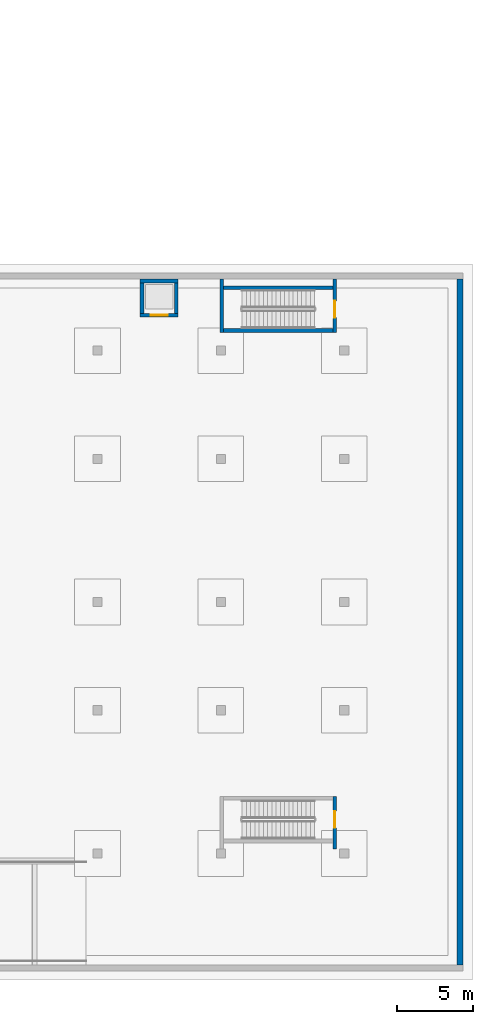
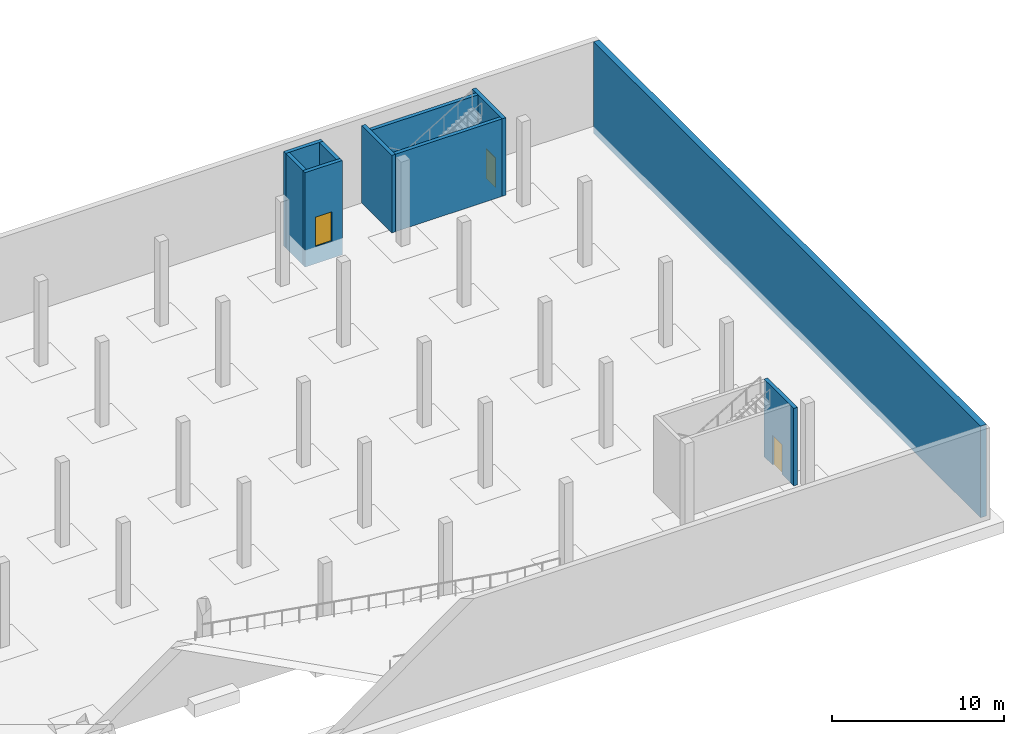
# One storey, part 19 of 39: 10 walls, 3 doors, 3 openings.
"""IFC4 building model written with IfcOpenShell, lengths in metres."""

from ifc_helpers import new_model, si_unit, direction, frame, frame_2d, origin, place, context, subcontext, project, spatial, rectangle, extrude, material, layer, layer_set, type_object, element, fill, save


model = new_model("IFC4")

# Units and contexts
model_context = context("Model", 3, precision=1e-05, world=origin(), true_north=direction((0.0, 1.0)))
body_context = subcontext(model_context, "Body", "Model", "MODEL_VIEW")
ifc_project = project(units=[si_unit("LENGTHUNIT", "METRE"), si_unit("AREAUNIT", "SQUARE_METRE"), si_unit("VOLUMEUNIT", "CUBIC_METRE"), si_unit("PLANEANGLEUNIT", "RADIAN"), si_unit("MASSUNIT", "GRAM", prefix="KILO")], contexts=[model_context])

# Site, building, storey
site_placement = place(None, origin())
site = spatial("IfcSite", under=ifc_project, at=site_placement, CompositionType="ELEMENT")
building_placement = place(site_placement, origin())
building = spatial("IfcBuilding", under=site, at=building_placement, Name="Tamorin Gate", CompositionType="ELEMENT")
storey_placement = place(building_placement, frame((0.0, 0.0, -12.0)))
storey = spatial("IfcBuildingStorey", under=building, at=storey_placement, Name="B2", CompositionType="ELEMENT", Elevation=-12.0)

# Wall
ifc_material_1 = material(Name="Concrete C40/50", Category="concrete")
ifc_layer_1 = layer(ifc_material_1, 0.39990234375)
ifc_layer_set_1 = layer_set([ifc_layer_1], Name="Car park retaining wall 400 C40/50")
wall_type_1 = type_object("IfcWallType", Name="Car park retaining wall 400 C40/50", PredefinedType="SHEAR", material=ifc_layer_set_1)
wall_1_placement = place(storey_placement, frame((235.199951171875, 6.0, -0.5), z_axis=(0.0, 0.0, 1.0), x_axis=(0.0, 1.0, 0.0)))
element("IfcWall", 1, at=wall_1_placement, inside=storey, type_object=wall_type_1, Name="Retaining wall B2", PredefinedType="SHEAR", context=body_context, shape_type="SweptSolid", body=[
    extrude(rectangle(XDim=45.0, YDim=0.39990234375, at=frame_2d((22.5, 0.0))), origin(), (0.0, 0.0, 1.0), 6.5),
])

# Wall, opening, door
ifc_layer_2 = layer(ifc_material_1, 0.25)
ifc_layer_set_2 = layer_set([ifc_layer_2], Name="Stair and lift enclosure wall 250 C40/50")
wall_type_2 = type_object("IfcWallType", Name="Stair and lift enclosure wall 250 C40/50", PredefinedType="SHEAR", material=ifc_layer_set_2)
wall_2_placement = place(storey_placement, frame((226.97509765625, 13.60009765625, 0.0), z_axis=(0.0, 0.0, 1.0), x_axis=(0.0, 1.0, 0.0)))
wall_2 = element("IfcWall", 2, at=wall_2_placement, inside=storey, type_object=wall_type_2, Name="Stair SB8 wall", PredefinedType="SHEAR", context=body_context, shape_type="SweptSolid", body=[
    extrude(rectangle(XDim=3.449951171875, YDim=0.25, at=frame_2d((1.72509765625, 0.0))), origin(), (0.0, 0.0, 1.0), 5.5),
])
opening_1_placement = place(wall_2_placement, frame((1.375, 0.0, 0.0)))
opening_1 = element("IfcOpeningElement", 3, at=opening_1_placement, cuts=wall_2, Name="Opening DP8", PredefinedType="OPENING", context=body_context, shape_type="SweptSolid", body=[
    extrude(rectangle(XDim=1.10009765625, YDim=2.10009765625, at=frame_2d((0.550048828125, 1.050048828125))), frame((0.0, 0.135009765625, 0.0), z_axis=(0.0, -1.0, 0.0), x_axis=(1.0, 0.0, 0.0)), (0.0, 0.0, 1.0), 0.27001953125),
])
ifc_material_2 = material(Name="Steel, painted", Category="steel")
door_type_1 = type_object("IfcDoorType", Name="Stair door 1100x2100 FD90", OperationType="SINGLE_SWING_LEFT", PredefinedType="DOOR", material=ifc_material_2)
door_1_placement = place(opening_1_placement, origin())
door_1 = element("IfcDoor", 4, at=door_1_placement, inside=storey, type_object=door_type_1, Name="Stair door", OperationType="SINGLE_SWING_LEFT", OverallHeight=2.10009765625, OverallWidth=1.10009765625, PredefinedType="DOOR", context=body_context, shape_type="SweptSolid", body=[
    extrude(rectangle(XDim=1.10009765625, YDim=2.10009765625, at=frame_2d((0.550048828125, 1.050048828125))), frame((0.0, 0.02490234375, 0.0), z_axis=(0.0, -1.0, 0.0), x_axis=(1.0, 0.0, 0.0)), (0.0, 0.0, 1.0), 0.050048828125),
])
fill(opening_1, door_1)

# Walls
for number, where, z_axis, x_axis, name in (
    (5, (219.68994140625, 47.625, 0.0), (0.0, 0.0, 1.0), (1.0, 0.0, 0.0), "Stair SB9 wall"),
    (6, (219.68994140625, 50.425048828125, 0.0), (0.0, 0.0, 1.0), (1.0, 0.0, 0.0), "Stair SB9 wall"),
):
    element("IfcWall", number, at=place(storey_placement, frame(where, z_axis=z_axis, x_axis=x_axis)), inside=storey, type_object=wall_type_2, Name=name, PredefinedType="SHEAR", context=body_context, shape_type="SweptSolid", body=[
        extrude(rectangle(XDim=7.16015625, YDim=0.25, at=frame_2d((3.580078125, 0.0))), origin(), (0.0, 0.0, 1.0), 5.5),
    ])

# Wall, opening, door
wall_3_placement = place(storey_placement, frame((226.97509765625, 47.5, 0.0), z_axis=(0.0, 0.0, 1.0), x_axis=(0.0, 1.0, 0.0)))
wall_3 = element("IfcWall", 7, at=wall_3_placement, inside=storey, type_object=wall_type_2, Name="Stair SB9 wall", PredefinedType="SHEAR", context=body_context, shape_type="SweptSolid", body=[
    extrude(rectangle(XDim=3.5, YDim=0.25, at=frame_2d((1.75, 0.0))), origin(), (0.0, 0.0, 1.0), 5.5),
])
opening_2_placement = place(wall_3_placement, frame((0.97509765625, 0.0, 0.0)))
opening_2 = element("IfcOpeningElement", 8, at=opening_2_placement, cuts=wall_3, Name="Opening DP8", PredefinedType="OPENING", context=body_context, shape_type="SweptSolid", body=[
    extrude(rectangle(XDim=1.10009765625, YDim=2.10009765625, at=frame_2d((0.550048828125, 1.050048828125))), frame((0.0, 0.135009765625, 0.0), z_axis=(0.0, -1.0, 0.0), x_axis=(1.0, 0.0, 0.0)), (0.0, 0.0, 1.0), 0.27001953125),
])
door_2_placement = place(opening_2_placement, origin())
door_2 = element("IfcDoor", 9, at=door_2_placement, inside=storey, type_object=door_type_1, Name="Stair door", OperationType="SINGLE_SWING_RIGHT", OverallHeight=2.10009765625, OverallWidth=1.10009765625, PredefinedType="DOOR", context=body_context, shape_type="SweptSolid", body=[
    extrude(rectangle(XDim=1.10009765625, YDim=2.10009765625, at=frame_2d((0.550048828125, 1.050048828125))), frame((0.0, 0.02490234375, 0.0), z_axis=(0.0, -1.0, 0.0), x_axis=(1.0, 0.0, 0.0)), (0.0, 0.0, 1.0), 0.050048828125),
])
fill(opening_2, door_2)

# Wall
wall_4_placement = place(storey_placement, frame((219.56494140625, 47.5, 0.0), z_axis=(0.0, 0.0, 1.0), x_axis=(0.0, 1.0, 0.0)))
element("IfcWall", 10, at=wall_4_placement, inside=storey, type_object=wall_type_2, Name="Stair SB9 wall", PredefinedType="SHEAR", context=body_context, shape_type="SweptSolid", body=[
    extrude(rectangle(XDim=3.5, YDim=0.25, at=frame_2d((1.75, 0.0))), origin(), (0.0, 0.0, 1.0), 5.5),
])

# Wall, opening, door
wall_5_placement = place(storey_placement, frame((214.199951171875, 48.625, -1.199951171875), z_axis=(0.0, 0.0, 1.0), x_axis=(1.0, 0.0, 0.0)))
wall_5 = element("IfcWall", 11, at=wall_5_placement, inside=storey, type_object=wall_type_2, Name="Lift shaft LP2", PredefinedType="SHEAR", context=body_context, shape_type="SweptSolid", body=[
    extrude(rectangle(XDim=2.5, YDim=0.25, at=frame_2d((1.25, 0.0))), origin(), (0.0, 0.0, 1.0), 6.699951171875),
])
opening_3_placement = place(wall_5_placement, frame((0.699951171875, 0.0, 1.199951171875)))
opening_3 = element("IfcOpeningElement", 12, at=opening_3_placement, cuts=wall_5, Name="Opening LD23", PredefinedType="OPENING", context=body_context, shape_type="SweptSolid", body=[
    extrude(rectangle(XDim=1.10009765625, YDim=2.10009765625, at=frame_2d((0.550048828125, 1.050048828125))), frame((0.0, 0.135009765625, 0.0), z_axis=(0.0, -1.0, 0.0), x_axis=(1.0, 0.0, 0.0)), (0.0, 0.0, 1.0), 0.27001953125),
])
ifc_material_3 = material(Name="Stainless steel", Category="steel")
door_type_2 = type_object("IfcDoorType", Name="Lift landing door 1100x2100", OperationType="DOUBLE_DOOR_SLIDING", PredefinedType="DOOR", material=ifc_material_3)
door_3_placement = place(opening_3_placement, origin())
door_3 = element("IfcDoor", 13, at=door_3_placement, inside=storey, type_object=door_type_2, Name="Lift landing door", OperationType="DOUBLE_DOOR_SLIDING", OverallHeight=2.10009765625, OverallWidth=1.10009765625, PredefinedType="DOOR", context=body_context, shape_type="SweptSolid", body=[
    extrude(rectangle(XDim=1.10009765625, YDim=2.10009765625, at=frame_2d((0.550048828125, 1.050048828125))), frame((0.0, 0.02490234375, 0.0), z_axis=(0.0, -1.0, 0.0), x_axis=(1.0, 0.0, 0.0)), (0.0, 0.0, 1.0), 0.050048828125),
])
fill(opening_3, door_3)

# Walls
wall_6_placement = place(storey_placement, frame((214.199951171875, 50.875, -1.199951171875), z_axis=(0.0, 0.0, 1.0), x_axis=(1.0, 0.0, 0.0)))
element("IfcWall", 14, at=wall_6_placement, inside=storey, type_object=wall_type_2, Name="Lift shaft LP2", PredefinedType="SHEAR", context=body_context, shape_type="SweptSolid", body=[
    extrude(rectangle(XDim=2.5, YDim=0.25, at=frame_2d((1.25, 0.0))), origin(), (0.0, 0.0, 1.0), 6.699951171875),
])
for number, where, z_axis, x_axis, name in (
    (15, (214.324951171875, 48.75, -1.199951171875), (0.0, 0.0, 1.0), (0.0, 1.0, 0.0), "Lift shaft LP2"),
    (16, (216.574951171875, 48.75, -1.199951171875), (0.0, 0.0, 1.0), (0.0, 1.0, 0.0), "Lift shaft LP2"),
):
    element("IfcWall", number, at=place(storey_placement, frame(where, z_axis=z_axis, x_axis=x_axis)), inside=storey, type_object=wall_type_2, Name=name, PredefinedType="SHEAR", context=body_context, shape_type="SweptSolid", body=[
        extrude(rectangle(XDim=2.0, YDim=0.25, at=frame_2d((1.0, 0.0))), origin(), (0.0, 0.0, 1.0), 6.699951171875),
    ])

save(model, "model.ifc")
